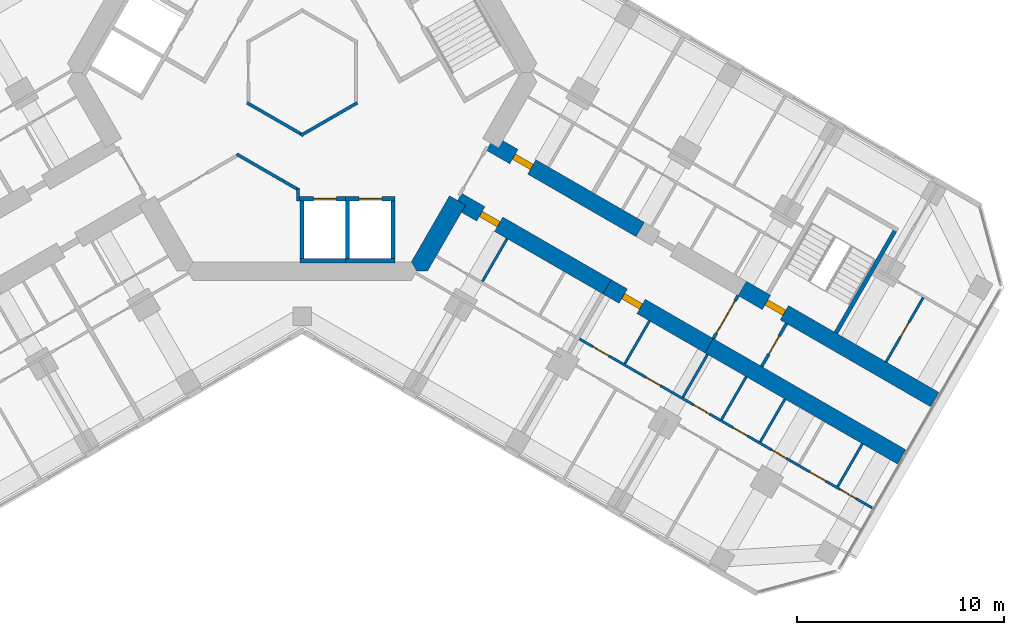
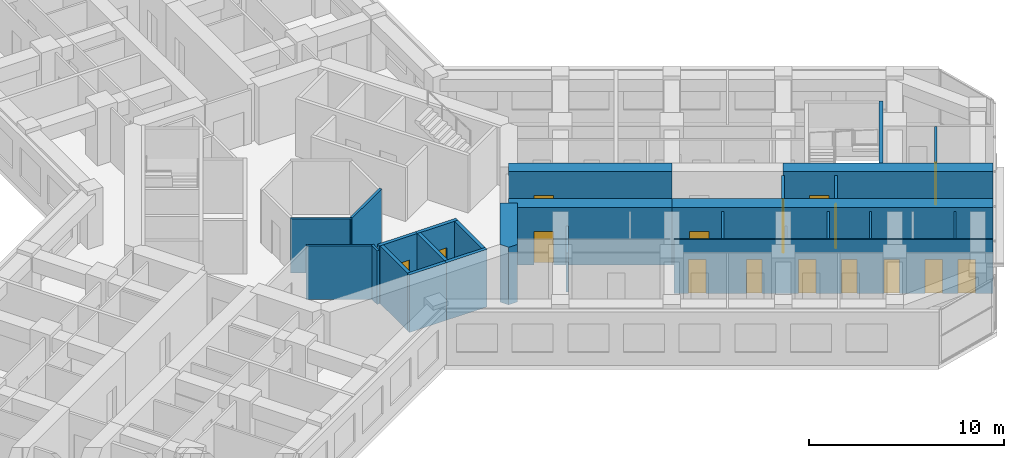
# One storey, part 14 of 19: 28 walls, 16 doors, 16 openings.
"""IFC4 building model written with IfcOpenShell, lengths in metres."""

from ifc_helpers import new_model, si_unit, direction, frame, frame_2d, origin, place, context, subcontext, project, spatial, polyline, rectangle, outline, extrude, material, layer, layer_set, type_object, element, fill, save


model = new_model("IFC4")

# Units and contexts
model_context = context("Model", 3, precision=1e-05, world=origin(), true_north=direction((0.0, 1.0)))
body_context = subcontext(model_context, "Body", "Model", "MODEL_VIEW")
ifc_project = project(units=[si_unit("LENGTHUNIT", "METRE"), si_unit("AREAUNIT", "SQUARE_METRE"), si_unit("VOLUMEUNIT", "CUBIC_METRE"), si_unit("PLANEANGLEUNIT", "RADIAN"), si_unit("MASSUNIT", "GRAM", prefix="KILO")], contexts=[model_context])

# Site, building, storey
site_placement = place(None, origin())
site = spatial("IfcSite", under=ifc_project, at=site_placement, CompositionType="ELEMENT")
building_placement = place(site_placement, origin())
building = spatial("IfcBuilding", under=site, at=building_placement, Name="Kosmar Iwan School Tower", CompositionType="ELEMENT")
storey_placement = place(building_placement, frame((0.0, 0.0, 134.60009765625)))
storey = spatial("IfcBuildingStorey", under=building, at=storey_placement, Name="L33", CompositionType="ELEMENT", Elevation=134.60009765625)

# Walls
ifc_material_1 = material(Name="Gypsum board on steel studs, fire-rated", Category="steel")
ifc_layer_1 = layer(ifc_material_1, 0.14990234375)
ifc_layer_set_1 = layer_set([ifc_layer_1], Name="Core room partition 150")
wall_type_1 = type_object("IfcWallType", Name="Core room partition 150", PredefinedType="PARTITIONING", material=ifc_layer_set_1)
wall_1_placement = place(storey_placement, frame((-3.1650390625, -3.9462890625, 0.0), z_axis=(0.0, 0.0, 1.0), x_axis=(0.866040335699, -0.499974136273, 0.0)))
element("IfcWall", 1, at=wall_1_placement, inside=storey, type_object=wall_type_1, Name="Core room partition L33-CW6", PredefinedType="PARTITIONING", context=body_context, shape_type="SweptSolid", body=[
    extrude(rectangle(XDim=3.498779296875, YDim=0.14990234375, at=frame_2d((1.74951171875, 0.0))), origin(), (0.0, 0.0, 1.0), 3.349853515625),
])
wall_2_placement = place(storey_placement, frame((-0.199951171875, -5.5830078125, 0.0), z_axis=(0.0, 0.0, 1.0), x_axis=(0.0, -1.0, 0.0)))
element("IfcWall", 2, at=wall_2_placement, inside=storey, type_object=wall_type_1, Name="Core room partition L33-CW7", PredefinedType="PARTITIONING", context=body_context, shape_type="SweptSolid", body=[
    extrude(rectangle(XDim=0.616943359375, YDim=0.14990234375, at=frame_2d((0.30859375, 0.0))), origin(), (0.0, 0.0, 1.0), 3.349853515625),
])
for number, where, z_axis, x_axis, name in (
    (3, (2.6650390625, -1.463623046875, 0.0), (0.0, 0.0, 1.0), (-0.866023080072, -0.500004024767, 0.0), "Core room partition L33-CW8"),
    (4, (0.06494140625, -3.039794921875, 0.0), (0.0, 0.0, 1.0), (-0.866023080072, 0.500004024767, 0.0), "Core room partition L33-CW9"),
):
    element("IfcWall", number, at=place(storey_placement, frame(where, z_axis=z_axis, x_axis=x_axis)), inside=storey, type_object=wall_type_1, Name=name, PredefinedType="PARTITIONING", context=body_context, shape_type="SweptSolid", body=[
        extrude(rectangle(XDim=3.15234375, YDim=0.14990234375, at=frame_2d((1.576171875, 0.0))), origin(), (0.0, 0.0, 1.0), 3.349853515625),
    ])
ifc_material_2 = material(Name="Concrete C50/60", Category="concrete")
ifc_layer_2 = layer(ifc_material_2, 0.89990234375)
ifc_layer_set_2 = layer_set([ifc_layer_2], Name="Core wall 900")
wall_type_2 = type_object("IfcWallType", Name="Core wall 900", PredefinedType="SHEAR", material=ifc_layer_set_2)
wall_3_placement = place(storey_placement, origin())
element("IfcWall", 5, at=wall_3_placement, inside=storey, type_object=wall_type_2, Name="Core wall F330a", PredefinedType="SHEAR", context=body_context, shape_type="SweptSolid", body=[
    extrude(outline(polyline([(5.54248046875, -9.60009765625), (6.062255859375, -9.60009765625), (7.903564453125, -6.41064453125), (7.1240234375, -5.960693359375), (5.28271484375, -9.14990234375), (5.54248046875, -9.60009765625)])), origin(), (0.0, 0.0, 1.0), 3.599853515625),
])

# Wall, opening, door
ifc_material_3 = material(Name="Concrete C50/60", Category="concrete")
ifc_layer_3 = layer(ifc_material_3, 0.800048828125)
ifc_layer_set_3 = layer_set([ifc_layer_3], Name="Corridor buttress wall 800")
wall_type_3 = type_object("IfcWallType", Name="Corridor buttress wall 800", PredefinedType="SHEAR", material=ifc_layer_set_3)
wall_4_placement = place(storey_placement, frame((9.11376953125, -3.414306640625, 0.0), z_axis=(0.0, 0.0, 1.0), x_axis=(0.866026859388, -0.499997478812, 0.0)))
wall_4 = element("IfcWall", 6, at=wall_4_placement, inside=storey, type_object=wall_type_3, Name="Corridor wall CL", PredefinedType="SHEAR", context=body_context, shape_type="SweptSolid", body=[
    extrude(rectangle(XDim=8.35009765625, YDim=0.800048828125, at=frame_2d((4.175048828125, 0.0))), origin(), (0.0, 0.0, 1.0), 3.599853515625),
])
opening_1_placement = place(wall_4_placement, frame((1.300048828125, 0.0, 0.0)))
opening_1 = element("IfcOpeningElement", 7, at=opening_1_placement, cuts=wall_4, Name="Opening D1", PredefinedType="OPENING", context=body_context, shape_type="SweptSolid", body=[
    extrude(rectangle(XDim=1.0, YDim=2.10009765625, at=frame_2d((0.5, 1.050048828125))), frame((0.0, 0.412109375, 0.0), z_axis=(0.0, -1.0, 0.0), x_axis=(1.0, 0.0, 0.0)), (0.0, 0.0, 1.0), 0.823974609375),
])
ifc_material_4 = material(Name="Timber fire door in steel frame", Category="steel")
door_type_1 = type_object("IfcDoorType", Name="Flat entrance door 1000x2100", OperationType="SINGLE_SWING_LEFT", PredefinedType="DOOR", material=ifc_material_4)
door_1_placement = place(opening_1_placement, origin())
door_1 = element("IfcDoor", 8, at=door_1_placement, inside=storey, type_object=door_type_1, Name="Flat L33-CL1 entrance door", OperationType="SINGLE_SWING_RIGHT", OverallHeight=2.10009765625, OverallWidth=1.0, PredefinedType="DOOR", context=body_context, shape_type="SweptSolid", body=[
    extrude(rectangle(XDim=1.0, YDim=2.10009765625, at=frame_2d((0.5, 1.050048828125))), frame((0.0, 0.14990234375, 0.0), z_axis=(0.0, -1.0, 0.0), x_axis=(1.0, 0.0, 0.0)), (0.0, 0.0, 1.0), 0.300048828125),
])
fill(opening_1, door_1)

wall_5_placement = place(storey_placement, frame((21.281494140625, -10.439453125, 0.0), z_axis=(0.0, 0.0, 1.0), x_axis=(0.866032345022, -0.499987977232, 0.0)))
wall_5 = element("IfcWall", 9, at=wall_5_placement, inside=storey, type_object=wall_type_3, Name="Corridor wall CL bay 3", PredefinedType="SHEAR", context=body_context, shape_type="SweptSolid", body=[
    extrude(rectangle(XDim=10.744873046875, YDim=0.800048828125, at=frame_2d((5.37255859375, 0.0))), origin(), (0.0, 0.0, 1.0), 3.599853515625),
])
opening_2_placement = place(wall_5_placement, frame((1.35009765625, 0.0, 0.0)))
opening_2 = element("IfcOpeningElement", 10, at=opening_2_placement, cuts=wall_5, Name="Opening D6", PredefinedType="OPENING", context=body_context, shape_type="SweptSolid", body=[
    extrude(rectangle(XDim=1.0, YDim=2.10009765625, at=frame_2d((0.5, 1.050048828125))), frame((0.0, 0.412109375, 0.0), z_axis=(0.0, -1.0, 0.0), x_axis=(1.0, 0.0, 0.0)), (0.0, 0.0, 1.0), 0.823974609375),
])
ifc_material_5 = material(Name="Steel fire door", Category="steel")
door_type_2 = type_object("IfcDoorType", Name="Stair door 1000x2100", OperationType="SINGLE_SWING_LEFT", PredefinedType="DOOR", material=ifc_material_5)
door_2_placement = place(opening_2_placement, origin())
door_2 = element("IfcDoor", 11, at=door_2_placement, inside=storey, type_object=door_type_2, Name="Stair WS3 door L33", OperationType="SINGLE_SWING_LEFT", OverallHeight=2.10009765625, OverallWidth=1.0, PredefinedType="DOOR", context=body_context, shape_type="SweptSolid", body=[
    extrude(rectangle(XDim=1.0, YDim=2.10009765625, at=frame_2d((0.5, 1.050048828125))), frame((0.0, 0.14990234375, 0.0), z_axis=(0.0, -1.0, 0.0), x_axis=(1.0, 0.0, 0.0)), (0.0, 0.0, 1.0), 0.300048828125),
])
fill(opening_2, door_2)

wall_6_placement = place(storey_placement, frame((7.513916015625, -6.185546875, 0.0), z_axis=(0.0, 0.0, 1.0), x_axis=(0.866019549707, -0.500010139422, 0.0)))
wall_6 = element("IfcWall", 12, at=wall_6_placement, inside=storey, type_object=wall_type_3, Name="Corridor wall CR", PredefinedType="SHEAR", context=body_context, shape_type="SweptSolid", body=[
    extrude(rectangle(XDim=8.349853515625, YDim=0.800048828125, at=frame_2d((4.1748046875, 0.0))), origin(), (0.0, 0.0, 1.0), 3.599853515625),
])
opening_3_placement = place(wall_6_placement, frame((1.300048828125, 0.0, 0.0)))
opening_3 = element("IfcOpeningElement", 13, at=opening_3_placement, cuts=wall_6, Name="Opening D1", PredefinedType="OPENING", context=body_context, shape_type="SweptSolid", body=[
    extrude(rectangle(XDim=1.0, YDim=2.10009765625, at=frame_2d((0.5, 1.050048828125))), frame((0.0, 0.412109375, 0.0), z_axis=(0.0, -1.0, 0.0), x_axis=(1.0, 0.0, 0.0)), (0.0, 0.0, 1.0), 0.823974609375),
])
door_3_placement = place(opening_3_placement, origin())
door_3 = element("IfcDoor", 14, at=door_3_placement, inside=storey, type_object=door_type_1, Name="Flat L33-CR1 entrance door", OperationType="SINGLE_SWING_LEFT", OverallHeight=2.10009765625, OverallWidth=1.0, PredefinedType="DOOR", context=body_context, shape_type="SweptSolid", body=[
    extrude(rectangle(XDim=1.0, YDim=2.10009765625, at=frame_2d((0.5, 1.050048828125))), frame((0.0, 0.14990234375, 0.0), z_axis=(0.0, -1.0, 0.0), x_axis=(1.0, 0.0, 0.0)), (0.0, 0.0, 1.0), 0.300048828125),
])
fill(opening_3, door_3)

wall_7_placement = place(storey_placement, frame((14.7451171875, -10.360595703125, 0.0), z_axis=(0.0, 0.0, 1.0), x_axis=(0.866015111908, -0.50001782563, 0.0)))
wall_7 = element("IfcWall", 15, at=wall_7_placement, inside=storey, type_object=wall_type_3, Name="Corridor wall CR bay 2", PredefinedType="SHEAR", context=body_context, shape_type="SweptSolid", body=[
    extrude(rectangle(XDim=5.699951171875, YDim=0.800048828125, at=frame_2d((2.85009765625, 0.0))), origin(), (0.0, 0.0, 1.0), 3.599853515625),
])
opening_4_placement = place(wall_7_placement, frame((0.89990234375, 0.0, 0.0)))
opening_4 = element("IfcOpeningElement", 16, at=opening_4_placement, cuts=wall_7, Name="Opening D1", PredefinedType="OPENING", context=body_context, shape_type="SweptSolid", body=[
    extrude(rectangle(XDim=1.0, YDim=2.10009765625, at=frame_2d((0.5, 1.050048828125))), frame((0.0, 0.412109375, 0.0), z_axis=(0.0, -1.0, 0.0), x_axis=(1.0, 0.0, 0.0)), (0.0, 0.0, 1.0), 0.823974609375),
])
door_4_placement = place(opening_4_placement, origin())
door_4 = element("IfcDoor", 17, at=door_4_placement, inside=storey, type_object=door_type_1, Name="Flat L33-CR2 entrance door", OperationType="SINGLE_SWING_LEFT", OverallHeight=2.10009765625, OverallWidth=1.0, PredefinedType="DOOR", context=body_context, shape_type="SweptSolid", body=[
    extrude(rectangle(XDim=1.0, YDim=2.10009765625, at=frame_2d((0.5, 1.050048828125))), frame((0.0, 0.14990234375, 0.0), z_axis=(0.0, -1.0, 0.0), x_axis=(1.0, 0.0, 0.0)), (0.0, 0.0, 1.0), 0.300048828125),
])
fill(opening_4, door_4)

# Wall
wall_8_placement = place(storey_placement, frame((19.681396484375, -13.210693359375, 0.0), z_axis=(0.0, 0.0, 1.0), x_axis=(0.866028186671, -0.499995179869, 0.0)))
element("IfcWall", 18, at=wall_8_placement, inside=storey, type_object=wall_type_3, Name="Corridor wall CR bay 3", PredefinedType="SHEAR", context=body_context, shape_type="SweptSolid", body=[
    extrude(rectangle(XDim=10.7451171875, YDim=0.800048828125, at=frame_2d((5.37255859375, 0.0))), origin(), (0.0, 0.0, 1.0), 3.599853515625),
])

# Wall, opening, door
ifc_material_6 = material(Name="Gypsum board on steel studs, fire-rated", Category="steel")
ifc_layer_4 = layer(ifc_material_6, 0.14990234375)
ifc_layer_set_4 = layer_set([ifc_layer_4], Name="Corridor end wall 150")
wall_type_4 = type_object("IfcWallType", Name="Corridor end wall 150", PredefinedType="PARTITIONING", material=ifc_layer_set_4)
wall_9_placement = place(storey_placement, frame((22.2197265625, -14.21435546875, 0.0), z_axis=(0.0, 0.0, 1.0), x_axis=(0.499957262057, 0.866050077142, 0.0)))
wall_9 = element("IfcWall", 19, at=wall_9_placement, inside=storey, type_object=wall_type_4, Name="Partition L33-C-CE", PredefinedType="PARTITIONING", context=body_context, shape_type="SweptSolid", body=[
    extrude(rectangle(XDim=2.400146484375, YDim=0.14990234375, at=frame_2d((1.2001953125, 0.0))), origin(), (0.0, 0.0, 1.0), 3.349853515625),
])
opening_5_placement = place(wall_9_placement, frame((0.699951171875, 0.0, 0.0)))
opening_5 = element("IfcOpeningElement", 20, at=opening_5_placement, cuts=wall_9, Name="Opening D13", PredefinedType="OPENING", context=body_context, shape_type="SweptSolid", body=[
    extrude(rectangle(XDim=1.0, YDim=2.10009765625, at=frame_2d((0.5, 1.050048828125))), frame((0.0, 0.0869140625, 0.0), z_axis=(0.0, -1.0, 0.0), x_axis=(1.0, 0.0, 0.0)), (0.0, 0.0, 1.0), 0.173828125),
])
ifc_material_7 = material(Name="Timber fire door with vision panel", Category="wood")
door_type_3 = type_object("IfcDoorType", Name="Corridor end door 1000x2100", OperationType="SINGLE_SWING_LEFT", PredefinedType="DOOR", material=ifc_material_7)
door_5_placement = place(opening_5_placement, origin())
door_5 = element("IfcDoor", 21, at=door_5_placement, inside=storey, type_object=door_type_3, Name="Family study room door L33-C", OperationType="SINGLE_SWING_LEFT", OverallHeight=2.10009765625, OverallWidth=1.0, PredefinedType="DOOR", context=body_context, shape_type="SweptSolid", body=[
    extrude(rectangle(XDim=1.0, YDim=2.10009765625, at=frame_2d((0.5, 1.050048828125))), frame((0.0, 0.02490234375, 0.0), z_axis=(0.0, -1.0, 0.0), x_axis=(1.0, 0.0, 0.0)), (0.0, 0.0, 1.0), 0.050048828125),
])
fill(opening_5, door_5)

wall_10_placement = place(storey_placement, frame((19.881591796875, -12.8642578125, 0.0), z_axis=(0.0, 0.0, 1.0), x_axis=(0.499957262057, 0.866050077142, 0.0)))
wall_10 = element("IfcWall", 22, at=wall_10_placement, inside=storey, type_object=wall_type_4, Name="Partition L33-C-HW", PredefinedType="PARTITIONING", context=body_context, shape_type="SweptSolid", body=[
    extrude(rectangle(XDim=2.400146484375, YDim=0.14990234375, at=frame_2d((1.2001953125, 0.0))), origin(), (0.0, 0.0, 1.0), 3.349853515625),
])
opening_6_placement = place(wall_10_placement, frame((0.300048828125, 0.0, 0.0)))
opening_6 = element("IfcOpeningElement", 23, at=opening_6_placement, cuts=wall_10, Name="Opening D9", PredefinedType="OPENING", context=body_context, shape_type="SweptSolid", body=[
    extrude(rectangle(XDim=1.800048828125, YDim=2.10009765625, at=frame_2d((0.89990234375, 1.050048828125))), frame((0.0, 0.0869140625, 0.0), z_axis=(0.0, -1.0, 0.0), x_axis=(1.0, 0.0, 0.0)), (0.0, 0.0, 1.0), 0.173828125),
])
ifc_material_8 = material(Name="Steel framed glazed smoke door", Category="steel")
door_type_4 = type_object("IfcDoorType", Name="Corridor smoke door pair 1800x2100", OperationType="DOUBLE_DOOR_DOUBLE_SWING", PredefinedType="DOOR", material=ifc_material_8)
door_6_placement = place(opening_6_placement, origin())
door_6 = element("IfcDoor", 24, at=door_6_placement, inside=storey, type_object=door_type_4, Name="Hashti vestibule smoke doors L33-C", OperationType="DOUBLE_DOOR_DOUBLE_SWING", OverallHeight=2.10009765625, OverallWidth=1.800048828125, PredefinedType="DOOR", context=body_context, shape_type="SweptSolid", body=[
    extrude(rectangle(XDim=1.800048828125, YDim=2.10009765625, at=frame_2d((0.89990234375, 1.050048828125))), frame((0.0, 0.02490234375, 0.0), z_axis=(0.0, -1.0, 0.0), x_axis=(1.0, 0.0, 0.0)), (0.0, 0.0, 1.0), 0.050048828125),
])
fill(opening_6, door_6)

ifc_material_9 = material(Name="Gypsum board on steel studs", Category="steel")
ifc_layer_5 = layer(ifc_material_9, 0.1201171875)
ifc_layer_set_5 = layer_set([ifc_layer_5], Name="Dwelling partition 120")
wall_type_5 = type_object("IfcWallType", Name="Dwelling partition 120", PredefinedType="PARTITIONING", material=ifc_layer_set_5)
wall_11_placement = place(storey_placement, frame((28.236572265625, -13.992919921875, 0.0), z_axis=(0.0, 0.0, 1.0), x_axis=(0.499971658126, 0.866041766355, 0.0)))
wall_11 = element("IfcWall", 25, at=wall_11_placement, inside=storey, type_object=wall_type_5, Name="Partition L33-CL2-TY", PredefinedType="PARTITIONING", context=body_context, shape_type="SweptSolid", body=[
    extrude(rectangle(XDim=3.590087890625, YDim=0.1201171875, at=frame_2d((1.794921875, 0.0))), origin(), (0.0, 0.0, 1.0), 3.349853515625),
])
opening_7_placement = place(wall_11_placement, frame((1.39501953125, 0.0, 0.0)))
opening_7 = element("IfcOpeningElement", 26, at=opening_7_placement, cuts=wall_11, Name="Opening D3", PredefinedType="OPENING", context=body_context, shape_type="SweptSolid", body=[
    extrude(rectangle(XDim=0.800048828125, YDim=2.10009765625, at=frame_2d((0.39990234375, 1.050048828125))), frame((0.0, 0.072021484375, 0.0), z_axis=(0.0, -1.0, 0.0), x_axis=(1.0, 0.0, 0.0)), (0.0, 0.0, 1.0), 0.14404296875),
])
ifc_material_10 = material(Name="Timber door in timber frame", Category="wood")
door_type_5 = type_object("IfcDoorType", Name="Sanitary room door 800x2100", OperationType="SINGLE_SWING_LEFT", PredefinedType="DOOR", material=ifc_material_10)
door_7_placement = place(opening_7_placement, origin())
door_7 = element("IfcDoor", 27, at=door_7_placement, inside=storey, type_object=door_type_5, Name="Shower room door L33-CL2-T4", OperationType="SINGLE_SWING_LEFT", OverallHeight=2.10009765625, OverallWidth=0.800048828125, PredefinedType="DOOR", context=body_context, shape_type="SweptSolid", body=[
    extrude(rectangle(XDim=0.800048828125, YDim=2.10009765625, at=frame_2d((0.39990234375, 1.050048828125))), frame((0.0, 0.02490234375, 0.0), z_axis=(0.0, -1.0, 0.0), x_axis=(1.0, 0.0, 0.0)), (0.0, 0.0, 1.0), 0.050048828125),
])
fill(opening_7, door_7)

# Wall
wall_12_placement = place(storey_placement, frame((9.911865234375, -8.031982421875, 0.0), z_axis=(0.0, 0.0, 1.0), x_axis=(-0.500017192868, -0.86601547725, 0.0)))
element("IfcWall", 28, at=wall_12_placement, inside=storey, type_object=wall_type_5, Name="Partition L33-CR1-Y1", PredefinedType="PARTITIONING", context=body_context, shape_type="SweptSolid", body=[
    extrude(rectangle(XDim=2.39013671875, YDim=0.1201171875, at=frame_2d((1.195068359375, 0.0))), origin(), (0.0, 0.0, 1.0), 2.449951171875),
])

# Wall, openings, doors
wall_13_placement = place(storey_placement, frame((13.40673828125, -12.87890625, 0.0), z_axis=(0.0, 0.0, 1.0), x_axis=(0.86603037493, -0.499991389624, 0.0)))
wall_13 = element("IfcWall", 29, at=wall_13_placement, inside=storey, type_object=wall_type_5, Name="Partition L33-CR2-W1", PredefinedType="PARTITIONING", context=body_context, shape_type="SweptSolid", body=[
    extrude(rectangle(XDim=16.344970703125, YDim=0.1201171875, at=frame_2d((8.17236328125, 0.0))), origin(), (0.0, 0.0, 1.0), 3.349853515625),
])
opening_8_placement = place(wall_13_placement, frame((0.75, 0.0, 0.0)))
opening_8 = element("IfcOpeningElement", 30, at=opening_8_placement, cuts=wall_13, Name="Opening D2", PredefinedType="OPENING", context=body_context, shape_type="SweptSolid", body=[
    extrude(rectangle(XDim=0.89990234375, YDim=2.10009765625, at=frame_2d((0.449951171875, 1.050048828125))), frame((0.0, 0.072021484375, 0.0), z_axis=(0.0, -1.0, 0.0), x_axis=(1.0, 0.0, 0.0)), (0.0, 0.0, 1.0), 0.14404296875),
])
opening_9_placement = place(wall_13_placement, frame((3.72119140625, 0.0, 0.0)))
opening_9 = element("IfcOpeningElement", 31, at=opening_9_placement, cuts=wall_13, Name="Opening D3", PredefinedType="OPENING", context=body_context, shape_type="SweptSolid", body=[
    extrude(rectangle(XDim=0.800048828125, YDim=2.10009765625, at=frame_2d((0.39990234375, 1.050048828125))), frame((0.0, 0.072021484375, 0.0), z_axis=(0.0, -1.0, 0.0), x_axis=(1.0, 0.0, 0.0)), (0.0, 0.0, 1.0), 0.14404296875),
])
opening_10_placement = place(wall_13_placement, frame((6.373046875, 0.0, 0.0)))
opening_10 = element("IfcOpeningElement", 32, at=opening_10_placement, cuts=wall_13, Name="Opening D2", PredefinedType="OPENING", context=body_context, shape_type="SweptSolid", body=[
    extrude(rectangle(XDim=0.89990234375, YDim=2.10009765625, at=frame_2d((0.449951171875, 1.050048828125))), frame((0.0, 0.072021484375, 0.0), z_axis=(0.0, -1.0, 0.0), x_axis=(1.0, 0.0, 0.0)), (0.0, 0.0, 1.0), 0.14404296875),
])
opening_11_placement = place(wall_13_placement, frame((8.584716796875, 0.0, 0.0)))
opening_11 = element("IfcOpeningElement", 33, at=opening_11_placement, cuts=wall_13, Name="Opening D3", PredefinedType="OPENING", context=body_context, shape_type="SweptSolid", body=[
    extrude(rectangle(XDim=0.800048828125, YDim=2.10009765625, at=frame_2d((0.39990234375, 1.050048828125))), frame((0.0, 0.072021484375, 0.0), z_axis=(0.0, -1.0, 0.0), x_axis=(1.0, 0.0, 0.0)), (0.0, 0.0, 1.0), 0.14404296875),
])
opening_12_placement = place(wall_13_placement, frame((10.74609375, 0.0, 0.0)))
opening_12 = element("IfcOpeningElement", 34, at=opening_12_placement, cuts=wall_13, Name="Opening D3", PredefinedType="OPENING", context=body_context, shape_type="SweptSolid", body=[
    extrude(rectangle(XDim=0.800048828125, YDim=2.10009765625, at=frame_2d((0.39990234375, 1.050048828125))), frame((0.0, 0.072021484375, 0.0), z_axis=(0.0, -1.0, 0.0), x_axis=(1.0, 0.0, 0.0)), (0.0, 0.0, 1.0), 0.14404296875),
])
opening_13_placement = place(wall_13_placement, frame((12.857666015625, 0.0, 0.0)))
opening_13 = element("IfcOpeningElement", 35, at=opening_13_placement, cuts=wall_13, Name="Opening D2", PredefinedType="OPENING", context=body_context, shape_type="SweptSolid", body=[
    extrude(rectangle(XDim=0.89990234375, YDim=2.10009765625, at=frame_2d((0.449951171875, 1.050048828125))), frame((0.0, 0.072021484375, 0.0), z_axis=(0.0, -1.0, 0.0), x_axis=(1.0, 0.0, 0.0)), (0.0, 0.0, 1.0), 0.14404296875),
])
opening_14_placement = place(wall_13_placement, frame((14.548583984375, 0.0, 0.0)))
opening_14 = element("IfcOpeningElement", 36, at=opening_14_placement, cuts=wall_13, Name="Opening D2", PredefinedType="OPENING", context=body_context, shape_type="SweptSolid", body=[
    extrude(rectangle(XDim=0.89990234375, YDim=2.10009765625, at=frame_2d((0.449951171875, 1.050048828125))), frame((0.0, 0.072021484375, 0.0), z_axis=(0.0, -1.0, 0.0), x_axis=(1.0, 0.0, 0.0)), (0.0, 0.0, 1.0), 0.14404296875),
])
ifc_material_11 = material(Name="Timber door in timber frame", Category="wood")
door_type_6 = type_object("IfcDoorType", Name="Internal door 900x2100", OperationType="SINGLE_SWING_LEFT", PredefinedType="DOOR", material=ifc_material_11)
door_8_placement = place(opening_8_placement, origin())
door_8 = element("IfcDoor", 37, at=door_8_placement, inside=storey, type_object=door_type_6, Name="Entrance hall door L33-CR2-S1", OperationType="SINGLE_SWING_RIGHT", OverallHeight=2.10009765625, OverallWidth=0.89990234375, PredefinedType="DOOR", context=body_context, shape_type="SweptSolid", body=[
    extrude(rectangle(XDim=0.89990234375, YDim=2.10009765625, at=frame_2d((0.449951171875, 1.050048828125))), frame((0.0, 0.02490234375, 0.0), z_axis=(0.0, -1.0, 0.0), x_axis=(1.0, 0.0, 0.0)), (0.0, 0.0, 1.0), 0.050048828125),
])
fill(opening_8, door_8)
door_9_placement = place(opening_10_placement, origin())
door_9 = element("IfcDoor", 38, at=door_9_placement, inside=storey, type_object=door_type_6, Name="Pantry door L33-CR2-S3", OperationType="SINGLE_SWING_RIGHT", OverallHeight=2.10009765625, OverallWidth=0.89990234375, PredefinedType="DOOR", context=body_context, shape_type="SweptSolid", body=[
    extrude(rectangle(XDim=0.89990234375, YDim=2.10009765625, at=frame_2d((0.449951171875, 1.050048828125))), frame((0.0, 0.02490234375, 0.0), z_axis=(0.0, -1.0, 0.0), x_axis=(1.0, 0.0, 0.0)), (0.0, 0.0, 1.0), 0.050048828125),
])
fill(opening_10, door_9)
door_10_placement = place(opening_13_placement, origin())
door_10 = element("IfcDoor", 39, at=door_10_placement, inside=storey, type_object=door_type_6, Name="Utility room door L33-CR2-S6", OperationType="SINGLE_SWING_LEFT", OverallHeight=2.10009765625, OverallWidth=0.89990234375, PredefinedType="DOOR", context=body_context, shape_type="SweptSolid", body=[
    extrude(rectangle(XDim=0.89990234375, YDim=2.10009765625, at=frame_2d((0.449951171875, 1.050048828125))), frame((0.0, 0.02490234375, 0.0), z_axis=(0.0, -1.0, 0.0), x_axis=(1.0, 0.0, 0.0)), (0.0, 0.0, 1.0), 0.050048828125),
])
fill(opening_13, door_10)
door_11_placement = place(opening_14_placement, origin())
door_11 = element("IfcDoor", 40, at=door_11_placement, inside=storey, type_object=door_type_6, Name="Dressing room door L33-CR2-S7", OperationType="SINGLE_SWING_LEFT", OverallHeight=2.10009765625, OverallWidth=0.89990234375, PredefinedType="DOOR", context=body_context, shape_type="SweptSolid", body=[
    extrude(rectangle(XDim=0.89990234375, YDim=2.10009765625, at=frame_2d((0.449951171875, 1.050048828125))), frame((0.0, 0.02490234375, 0.0), z_axis=(0.0, -1.0, 0.0), x_axis=(1.0, 0.0, 0.0)), (0.0, 0.0, 1.0), 0.050048828125),
])
fill(opening_14, door_11)
door_12_placement = place(opening_9_placement, origin())
door_12 = element("IfcDoor", 41, at=door_12_placement, inside=storey, type_object=door_type_5, Name="Bathroom door L33-CR2-S2", OperationType="SINGLE_SWING_LEFT", OverallHeight=2.10009765625, OverallWidth=0.800048828125, PredefinedType="DOOR", context=body_context, shape_type="SweptSolid", body=[
    extrude(rectangle(XDim=0.800048828125, YDim=2.10009765625, at=frame_2d((0.39990234375, 1.050048828125))), frame((0.0, 0.02490234375, 0.0), z_axis=(0.0, -1.0, 0.0), x_axis=(1.0, 0.0, 0.0)), (0.0, 0.0, 1.0), 0.050048828125),
])
fill(opening_9, door_12)
door_13_placement = place(opening_11_placement, origin())
door_13 = element("IfcDoor", 42, at=door_13_placement, inside=storey, type_object=door_type_5, Name="WC door L33-CR2-S4", OperationType="SINGLE_SWING_LEFT", OverallHeight=2.10009765625, OverallWidth=0.800048828125, PredefinedType="DOOR", context=body_context, shape_type="SweptSolid", body=[
    extrude(rectangle(XDim=0.800048828125, YDim=2.10009765625, at=frame_2d((0.39990234375, 1.050048828125))), frame((0.0, 0.02490234375, 0.0), z_axis=(0.0, -1.0, 0.0), x_axis=(1.0, 0.0, 0.0)), (0.0, 0.0, 1.0), 0.050048828125),
])
fill(opening_11, door_13)
door_14_placement = place(opening_12_placement, origin())
door_14 = element("IfcDoor", 43, at=door_14_placement, inside=storey, type_object=door_type_5, Name="Store door L33-CR2-S5", OperationType="SINGLE_SWING_RIGHT", OverallHeight=2.10009765625, OverallWidth=0.800048828125, PredefinedType="DOOR", context=body_context, shape_type="SweptSolid", body=[
    extrude(rectangle(XDim=0.800048828125, YDim=2.10009765625, at=frame_2d((0.39990234375, 1.050048828125))), frame((0.0, 0.02490234375, 0.0), z_axis=(0.0, -1.0, 0.0), x_axis=(1.0, 0.0, 0.0)), (0.0, 0.0, 1.0), 0.050048828125),
])
fill(opening_12, door_14)

# Walls
wall_14_placement = place(storey_placement, frame((16.796875, -12.007080078125, 0.0), z_axis=(0.0, 0.0, 1.0), x_axis=(-0.500017192868, -0.86601547725, 0.0)))
element("IfcWall", 44, at=wall_14_placement, inside=storey, type_object=wall_type_5, Name="Partition L33-CR2-Y1", PredefinedType="PARTITIONING", context=body_context, shape_type="SweptSolid", body=[
    extrude(rectangle(XDim=2.39013671875, YDim=0.1201171875, at=frame_2d((1.195068359375, 0.0))), origin(), (0.0, 0.0, 1.0), 3.349853515625),
])
wall_15_placement = place(storey_placement, frame((19.604736328125, -13.628173828125, 0.0), z_axis=(0.0, 0.0, 1.0), x_axis=(-0.500017192868, -0.86601547725, 0.0)))
element("IfcWall", 45, at=wall_15_placement, inside=storey, type_object=wall_type_5, Name="Partition L33-CR2-Y2", PredefinedType="PARTITIONING", context=body_context, shape_type="SweptSolid", body=[
    extrude(rectangle(XDim=2.39013671875, YDim=0.1201171875, at=frame_2d((1.195068359375, 0.0))), origin(), (0.0, 0.0, 1.0), 2.449951171875),
])
for number, where, z_axis, x_axis, name in (
    (46, (21.476806640625, -14.708984375, 0.0), (0.0, 0.0, 1.0), (-0.500017192868, -0.86601547725, 0.0), "Partition L33-CR2-Y3"),
    (47, (23.3486328125, -15.789794921875, 0.0), (0.0, 0.0, 1.0), (-0.500017192868, -0.86601547725, 0.0), "Partition L33-CR2-Y4"),
    (48, (27.092529296875, -17.951171875, 0.0), (0.0, 0.0, 1.0), (-0.500017192868, -0.86601547725, 0.0), "Partition L33-CR2-Y6"),
):
    element("IfcWall", number, at=place(storey_placement, frame(where, z_axis=z_axis, x_axis=x_axis)), inside=storey, type_object=wall_type_5, Name=name, PredefinedType="PARTITIONING", context=body_context, shape_type="SweptSolid", body=[
        extrude(rectangle(XDim=2.39013671875, YDim=0.1201171875, at=frame_2d((1.195068359375, 0.0))), origin(), (0.0, 0.0, 1.0), 3.349853515625),
    ])
ifc_material_12 = material(Name="Concrete C35/45", Category="concrete")
ifc_layer_6 = layer(ifc_material_12, 0.199951171875)
ifc_layer_set_6 = layer_set([ifc_layer_6], Name="Escape stair wall 200")
wall_type_6 = type_object("IfcWallType", Name="Escape stair wall 200", PredefinedType="SHEAR", material=ifc_layer_set_6)
wall_16_placement = place(storey_placement, frame((25.8115234375, -12.593017578125, 0.0), z_axis=(0.0, 0.0, 1.0), x_axis=(0.500019744199, 0.866014004166, 0.0)))
element("IfcWall", 49, at=wall_16_placement, inside=storey, type_object=wall_type_6, Name="Stair WS3 wall", PredefinedType="SHEAR", context=body_context, shape_type="SweptSolid", body=[
    extrude(rectangle(XDim=5.900146484375, YDim=0.199951171875, at=frame_2d((2.9501953125, 0.0))), origin(), (0.0, 0.0, 1.0), 3.329833984375),
])

# Wall, opening, door
ifc_material_13 = material(Name="Concrete C50/60", Category="concrete")
ifc_layer_7 = layer(ifc_material_13, 0.199951171875)
ifc_layer_set_7 = layer_set([ifc_layer_7], Name="Lift shaft wall 200")
wall_type_7 = type_object("IfcWallType", Name="Lift shaft wall 200", PredefinedType="SHEAR", material=ifc_layer_set_7)
wall_17_placement = place(storey_placement, frame((-0.125, -6.10009765625, 0.0), z_axis=(0.0, 0.0, 1.0), x_axis=(1.0, 0.0, 0.0)))
wall_17 = element("IfcWall", 50, at=wall_17_placement, inside=storey, type_object=wall_type_7, Name="Lift and stair front wall BC", PredefinedType="SHEAR", context=body_context, shape_type="SweptSolid", body=[
    extrude(rectangle(XDim=2.22509765625, YDim=0.199951171875, at=frame_2d((1.112548828125, 0.0))), origin(), (0.0, 0.0, 1.0), 3.599853515625),
])
opening_15_placement = place(wall_17_placement, frame((0.675048828125, 0.0, 0.0)))
opening_15 = element("IfcOpeningElement", 51, at=opening_15_placement, cuts=wall_17, Name="Opening LD1", PredefinedType="OPENING", context=body_context, shape_type="SweptSolid", body=[
    extrude(rectangle(XDim=1.10009765625, YDim=2.10009765625, at=frame_2d((0.550048828125, 1.050048828125))), frame((0.0, 0.112060546875, 0.0), z_axis=(0.0, -1.0, 0.0), x_axis=(1.0, 0.0, 0.0)), (0.0, 0.0, 1.0), 0.223876953125),
])
ifc_material_14 = material(Name="Stainless steel sliding lift door", Category="steel")
door_type_7 = type_object("IfcDoorType", Name="Lift landing door 1100x2100", OperationType="SLIDING_TO_LEFT", PredefinedType="DOOR", material=ifc_material_14)
door_15_placement = place(opening_15_placement, origin())
door_15 = element("IfcDoor", 52, at=door_15_placement, inside=storey, type_object=door_type_7, Name="Lift PL3 landing door L33", OperationType="SLIDING_TO_LEFT", OverallHeight=2.10009765625, OverallWidth=1.10009765625, PredefinedType="DOOR", context=body_context, shape_type="SweptSolid", body=[
    extrude(rectangle(XDim=1.10009765625, YDim=2.10009765625, at=frame_2d((0.550048828125, 1.050048828125))), frame((0.0, 0.02490234375, 0.0), z_axis=(0.0, -1.0, 0.0), x_axis=(1.0, 0.0, 0.0)), (0.0, 0.0, 1.0), 0.050048828125),
])
fill(opening_15, door_15)

# Wall
wall_18_placement = place(storey_placement, frame((-0.10009765625, -9.10009765625, 0.0), z_axis=(0.0, 0.0, 1.0), x_axis=(1.0, 0.0, 0.0)))
element("IfcWall", 53, at=wall_18_placement, inside=storey, type_object=wall_type_7, Name="Lift and stair back wall BC", PredefinedType="SHEAR", context=body_context, shape_type="SweptSolid", body=[
    extrude(rectangle(XDim=2.2001953125, YDim=0.199951171875, at=frame_2d((1.10009765625, 0.0))), origin(), (0.0, 0.0, 1.0), 3.599853515625),
])

# Wall, opening, door
wall_19_placement = place(storey_placement, frame((2.10009765625, -6.10009765625, 0.0), z_axis=(0.0, 0.0, 1.0), x_axis=(1.0, 0.0, 0.0)))
wall_19 = element("IfcWall", 54, at=wall_19_placement, inside=storey, type_object=wall_type_7, Name="Lift and stair front wall BC", PredefinedType="SHEAR", context=body_context, shape_type="SweptSolid", body=[
    extrude(rectangle(XDim=2.39990234375, YDim=0.199951171875, at=frame_2d((1.199951171875, 0.0))), origin(), (0.0, 0.0, 1.0), 3.599853515625),
])
opening_16_placement = place(wall_19_placement, frame((0.64990234375, 0.0, 0.0)))
opening_16 = element("IfcOpeningElement", 55, at=opening_16_placement, cuts=wall_19, Name="Opening LD1", PredefinedType="OPENING", context=body_context, shape_type="SweptSolid", body=[
    extrude(rectangle(XDim=1.10009765625, YDim=2.10009765625, at=frame_2d((0.550048828125, 1.050048828125))), frame((0.0, 0.112060546875, 0.0), z_axis=(0.0, -1.0, 0.0), x_axis=(1.0, 0.0, 0.0)), (0.0, 0.0, 1.0), 0.223876953125),
])
door_16_placement = place(opening_16_placement, origin())
door_16 = element("IfcDoor", 56, at=door_16_placement, inside=storey, type_object=door_type_7, Name="Lift PL4 landing door L33", OperationType="SLIDING_TO_LEFT", OverallHeight=2.10009765625, OverallWidth=1.10009765625, PredefinedType="DOOR", context=body_context, shape_type="SweptSolid", body=[
    extrude(rectangle(XDim=1.10009765625, YDim=2.10009765625, at=frame_2d((0.550048828125, 1.050048828125))), frame((0.0, 0.02490234375, 0.0), z_axis=(0.0, -1.0, 0.0), x_axis=(1.0, 0.0, 0.0)), (0.0, 0.0, 1.0), 0.050048828125),
])
fill(opening_16, door_16)

# Walls
wall_20_placement = place(storey_placement, frame((2.10009765625, -9.10009765625, 0.0), z_axis=(0.0, 0.0, 1.0), x_axis=(1.0, 0.0, 0.0)))
element("IfcWall", 57, at=wall_20_placement, inside=storey, type_object=wall_type_7, Name="Lift and stair back wall BC", PredefinedType="SHEAR", context=body_context, shape_type="SweptSolid", body=[
    extrude(rectangle(XDim=2.39990234375, YDim=0.199951171875, at=frame_2d((1.199951171875, 0.0))), origin(), (0.0, 0.0, 1.0), 3.599853515625),
])
for number, where, z_axis, x_axis, name in (
    (58, (0.0, -6.199951171875, 0.0), (0.0, 0.0, 1.0), (0.0, -1.0, 0.0), "Lift shaft wall BC 0"),
    (59, (2.199951171875, -6.199951171875, 0.0), (0.0, 0.0, 1.0), (0.0, -1.0, 0.0), "Lift shaft wall BC 1"),
    (60, (4.39990234375, -6.199951171875, 0.0), (0.0, 0.0, 1.0), (0.0, -1.0, 0.0), "Lift shaft wall BC 2"),
):
    element("IfcWall", number, at=place(storey_placement, frame(where, z_axis=z_axis, x_axis=x_axis)), inside=storey, type_object=wall_type_7, Name=name, PredefinedType="SHEAR", context=body_context, shape_type="SweptSolid", body=[
        extrude(rectangle(XDim=2.800048828125, YDim=0.199951171875, at=frame_2d((1.39990234375, 0.0))), origin(), (0.0, 0.0, 1.0), 3.599853515625),
    ])

save(model, "model.ifc")
